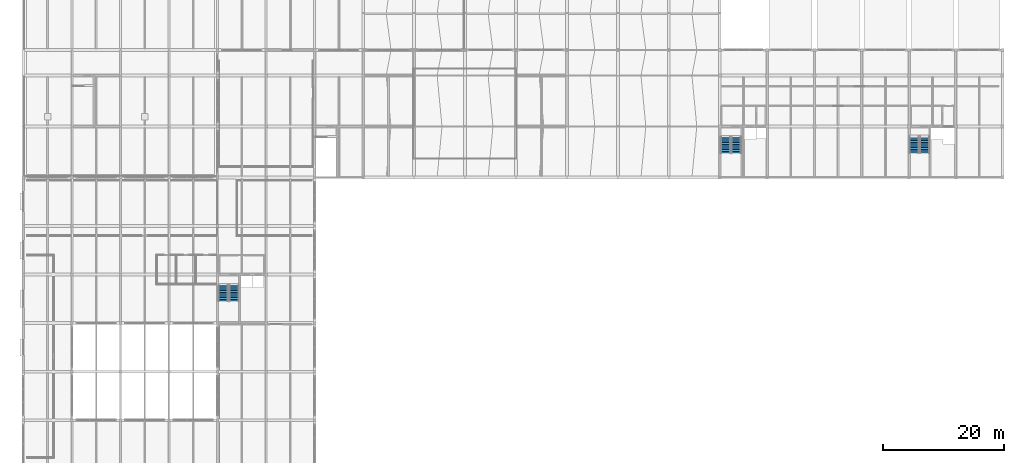
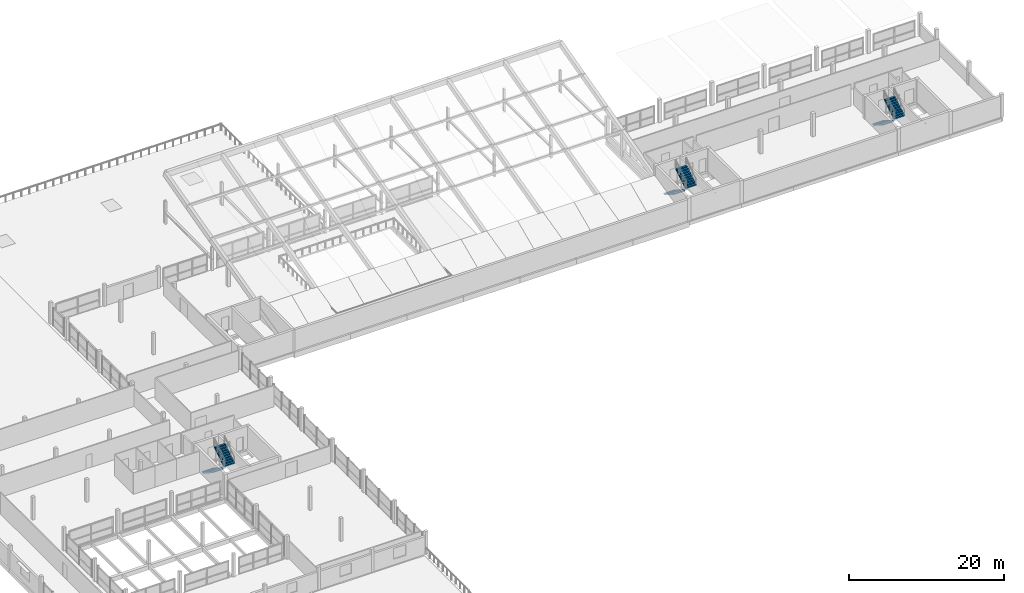
# One storey, part 44 of 51: 6 stair flights, 3 elements without a shape of their own.
"""IFC4 building model written with IfcOpenShell, lengths in metres."""

from ifc_helpers import new_model, si_unit, direction, frame, origin, place, context, subcontext, project, spatial, polyline, outline, extrude, material, type_object, element, aggregate, save


model = new_model("IFC4")

# Units and contexts
model_context = context("Model", 3, precision=1e-05, world=origin(), true_north=direction((0.0, 1.0)))
body_context = subcontext(model_context, "Body", "Model", "MODEL_VIEW")
ifc_project = project(units=[si_unit("LENGTHUNIT", "METRE"), si_unit("AREAUNIT", "SQUARE_METRE"), si_unit("VOLUMEUNIT", "CUBIC_METRE"), si_unit("PLANEANGLEUNIT", "RADIAN"), si_unit("MASSUNIT", "GRAM", prefix="KILO")], contexts=[model_context])

# Site, building, storey
site_placement = place(None, origin())
site = spatial("IfcSite", under=ifc_project, at=site_placement, CompositionType="ELEMENT")
building_placement = place(site_placement, origin())
building = spatial("IfcBuilding", under=site, at=building_placement, Name="Vharandega Faculty of Natural Sciences", CompositionType="ELEMENT")
storey_placement = place(building_placement, frame((0.0, 0.0, 18.0)))
storey = spatial("IfcBuildingStorey", under=building, at=storey_placement, Name="L04", CompositionType="ELEMENT", Elevation=18.0)

# Stair, stair flights
ifc_material_1 = material(Name="Concrete C40/50", Category="concrete")
stair_type_1 = type_object("IfcStairType", Name="Escape Dog-Leg Stair W160 H360", PredefinedType="HALF_TURN_STAIR", material=ifc_material_1)
stair_1_placement = place(storey_placement, origin())
stair_1 = element("IfcStair", 1, at=stair_1_placement, inside=storey, type_object=stair_type_1, Name="L04 Escape Stair ST2", PredefinedType="HALF_TURN_STAIR")
ifc_material_2 = material(Name="Concrete C40/50", Category="concrete")
stair_flight_type_1 = type_object("IfcStairFlightType", Name="Precast Stair Flight W160 H360", PredefinedType="STRAIGHT", material=ifc_material_2)
stair_flight_1_placement = place(storey_placement, frame((146.860107421875, 70.659912109375, 0.0), z_axis=(0.0, 0.0, 1.0), x_axis=(0.0, -1.0, 0.0)))
stair_flight_1 = element("IfcStairFlight", 2, at=stair_flight_1_placement, type_object=stair_flight_type_1, Name="ST2 flight 1", NumberOfRisers=10, NumberOfTreads=9, PredefinedType="STRAIGHT", RiserHeight=0.18, TreadLength=0.29, context=body_context, shape_type="SweptSolid", body=[
    extrude(outline(polyline([(0.0, 0.0), (0.0, 0.179931640625), (0.2900390625, 0.179931640625), (0.2900390625, 0.360107421875), (0.580078125, 0.360107421875), (0.580078125, 0.5400390625), (0.8701171875, 0.5400390625), (0.8701171875, 0.719970703125), (1.159912109375, 0.719970703125), (1.159912109375, 0.89990234375), (1.449951171875, 0.89990234375), (1.449951171875, 1.080078125), (1.739990234375, 1.080078125), (1.739990234375, 1.260009765625), (2.030029296875, 1.260009765625), (2.030029296875, 1.43994140625), (2.320068359375, 1.43994140625), (2.320068359375, 1.6201171875), (2.610107421875, 1.6201171875), (2.610107421875, 1.800048828125), (2.610107421875, 1.443603515625), (0.2841796875, 0.0), (0.0, 0.0)])), frame((0.0, 0.800048828125, 0.0), z_axis=(0.0, -1.0, 0.0), x_axis=(1.0, 0.0, 0.0)), (0.0, 0.0, 1.0), 1.60009765625),
])
stair_flight_2_placement = place(storey_placement, frame((148.580078125, 68.050048828125, 1.800048828125), z_axis=(0.0, 0.0, 1.0), x_axis=(0.0, 1.0, 0.0)))
stair_flight_2 = element("IfcStairFlight", 3, at=stair_flight_2_placement, type_object=stair_flight_type_1, Name="ST2 flight 2", NumberOfRisers=10, NumberOfTreads=9, PredefinedType="STRAIGHT", RiserHeight=0.18, TreadLength=0.29, context=body_context, shape_type="SweptSolid", body=[
    extrude(outline(polyline([(0.0, 0.0), (0.0, 0.179931640625), (0.2900390625, 0.179931640625), (0.2900390625, 0.360107421875), (0.580078125, 0.360107421875), (0.580078125, 0.5400390625), (0.8701171875, 0.5400390625), (0.8701171875, 0.719970703125), (1.159912109375, 0.719970703125), (1.159912109375, 0.89990234375), (1.449951171875, 0.89990234375), (1.449951171875, 1.080078125), (1.739990234375, 1.080078125), (1.739990234375, 1.260009765625), (2.030029296875, 1.260009765625), (2.030029296875, 1.43994140625), (2.320068359375, 1.43994140625), (2.320068359375, 1.6201171875), (2.610107421875, 1.6201171875), (2.610107421875, 1.800048828125), (2.610107421875, 1.443603515625), (0.2841796875, 0.0), (0.0, 0.0)])), frame((0.0, 0.800048828125, 0.0), z_axis=(0.0, -1.0, 0.0), x_axis=(1.0, 0.0, 0.0)), (0.0, 0.0, 1.0), 1.60009765625),
])
aggregate(stair_1, [stair_flight_1, stair_flight_2])

ifc_material_3 = material(Name="Concrete C40/50", Category="concrete")
stair_type_2 = type_object("IfcStairType", Name="Escape Dog-Leg Stair W165 H360", PredefinedType="HALF_TURN_STAIR", material=ifc_material_3)
stair_2_placement = place(storey_placement, origin())
stair_2 = element("IfcStair", 4, at=stair_2_placement, inside=storey, type_object=stair_type_2, Name="L04 Escape Stair ST1", PredefinedType="HALF_TURN_STAIR")
ifc_material_4 = material(Name="Concrete C40/50", Category="concrete")
stair_flight_type_2 = type_object("IfcStairFlightType", Name="Precast Stair Flight W165 H360", PredefinedType="STRAIGHT", material=ifc_material_4)
stair_flight_3_placement = place(storey_placement, frame((115.764892578125, 70.610107421875, 0.0), z_axis=(0.0, 0.0, 1.0), x_axis=(0.0, -1.0, 0.0)))
stair_flight_3 = element("IfcStairFlight", 5, at=stair_flight_3_placement, type_object=stair_flight_type_2, Name="ST1 flight 1", NumberOfRisers=10, NumberOfTreads=9, PredefinedType="STRAIGHT", RiserHeight=0.18, TreadLength=0.29, context=body_context, shape_type="SweptSolid", body=[
    extrude(outline(polyline([(0.0, 0.0), (0.0, 0.179931640625), (0.2900390625, 0.179931640625), (0.2900390625, 0.360107421875), (0.580078125, 0.360107421875), (0.580078125, 0.5400390625), (0.8701171875, 0.5400390625), (0.8701171875, 0.719970703125), (1.159912109375, 0.719970703125), (1.159912109375, 0.89990234375), (1.449951171875, 0.89990234375), (1.449951171875, 1.080078125), (1.739990234375, 1.080078125), (1.739990234375, 1.260009765625), (2.030029296875, 1.260009765625), (2.030029296875, 1.43994140625), (2.320068359375, 1.43994140625), (2.320068359375, 1.6201171875), (2.610107421875, 1.6201171875), (2.610107421875, 1.800048828125), (2.610107421875, 1.443603515625), (0.2841796875, 0.0), (0.0, 0.0)])), frame((0.0, 0.824951171875, 0.0), z_axis=(0.0, -1.0, 0.0), x_axis=(1.0, 0.0, 0.0)), (0.0, 0.0, 1.0), 1.64990234375),
])
stair_flight_4_placement = place(storey_placement, frame((117.534912109375, 68.0, 1.800048828125), z_axis=(0.0, 0.0, 1.0), x_axis=(0.0, 1.0, 0.0)))
stair_flight_4 = element("IfcStairFlight", 6, at=stair_flight_4_placement, type_object=stair_flight_type_2, Name="ST1 flight 2", NumberOfRisers=10, NumberOfTreads=9, PredefinedType="STRAIGHT", RiserHeight=0.18, TreadLength=0.29, context=body_context, shape_type="SweptSolid", body=[
    extrude(outline(polyline([(0.0, 0.0), (0.0, 0.179931640625), (0.2900390625, 0.179931640625), (0.2900390625, 0.360107421875), (0.580078125, 0.360107421875), (0.580078125, 0.5400390625), (0.8701171875, 0.5400390625), (0.8701171875, 0.719970703125), (1.159912109375, 0.719970703125), (1.159912109375, 0.89990234375), (1.449951171875, 0.89990234375), (1.449951171875, 1.080078125), (1.739990234375, 1.080078125), (1.739990234375, 1.260009765625), (2.030029296875, 1.260009765625), (2.030029296875, 1.43994140625), (2.320068359375, 1.43994140625), (2.320068359375, 1.6201171875), (2.610107421875, 1.6201171875), (2.610107421875, 1.800048828125), (2.610107421875, 1.443603515625), (0.2841796875, 0.0), (0.0, 0.0)])), frame((0.0, 0.824951171875, 0.0), z_axis=(0.0, -1.0, 0.0), x_axis=(1.0, 0.0, 0.0)), (0.0, 0.0, 1.0), 1.64990234375),
])
aggregate(stair_2, [stair_flight_3, stair_flight_4])

stair_3_placement = place(storey_placement, origin())
stair_3 = element("IfcStair", 7, at=stair_3_placement, inside=storey, type_object=stair_type_2, Name="L04 Escape Stair ST3", PredefinedType="HALF_TURN_STAIR")
stair_flight_5_placement = place(storey_placement, frame((32.965087890625, 46.2099609375, 0.0), z_axis=(0.0, 0.0, 1.0), x_axis=(0.0, -1.0, 0.0)))
stair_flight_5 = element("IfcStairFlight", 8, at=stair_flight_5_placement, type_object=stair_flight_type_2, Name="ST3 flight 1", NumberOfRisers=10, NumberOfTreads=9, PredefinedType="STRAIGHT", RiserHeight=0.18, TreadLength=0.29, context=body_context, shape_type="SweptSolid", body=[
    extrude(outline(polyline([(0.0, 0.0), (0.0, 0.179931640625), (0.2900390625, 0.179931640625), (0.2900390625, 0.360107421875), (0.580078125, 0.360107421875), (0.580078125, 0.5400390625), (0.8701171875, 0.5400390625), (0.8701171875, 0.719970703125), (1.159912109375, 0.719970703125), (1.159912109375, 0.89990234375), (1.449951171875, 0.89990234375), (1.449951171875, 1.080078125), (1.739990234375, 1.080078125), (1.739990234375, 1.260009765625), (2.030029296875, 1.260009765625), (2.030029296875, 1.43994140625), (2.320068359375, 1.43994140625), (2.320068359375, 1.6201171875), (2.610107421875, 1.6201171875), (2.610107421875, 1.800048828125), (2.610107421875, 1.443603515625), (0.2841796875, 0.0), (0.0, 0.0)])), frame((0.0, 0.824951171875, 0.0), z_axis=(0.0, -1.0, 0.0), x_axis=(1.0, 0.0, 0.0)), (0.0, 0.0, 1.0), 1.64990234375),
])
stair_flight_6_placement = place(storey_placement, frame((34.735107421875, 43.60009765625, 1.800048828125), z_axis=(0.0, 0.0, 1.0), x_axis=(0.0, 1.0, 0.0)))
stair_flight_6 = element("IfcStairFlight", 9, at=stair_flight_6_placement, type_object=stair_flight_type_2, Name="ST3 flight 2", NumberOfRisers=10, NumberOfTreads=9, PredefinedType="STRAIGHT", RiserHeight=0.18, TreadLength=0.29, context=body_context, shape_type="SweptSolid", body=[
    extrude(outline(polyline([(0.0, 0.0), (0.0, 0.179931640625), (0.2900390625, 0.179931640625), (0.2900390625, 0.360107421875), (0.580078125, 0.360107421875), (0.580078125, 0.5400390625), (0.8701171875, 0.5400390625), (0.8701171875, 0.719970703125), (1.159912109375, 0.719970703125), (1.159912109375, 0.89990234375), (1.449951171875, 0.89990234375), (1.449951171875, 1.080078125), (1.739990234375, 1.080078125), (1.739990234375, 1.260009765625), (2.030029296875, 1.260009765625), (2.030029296875, 1.43994140625), (2.320068359375, 1.43994140625), (2.320068359375, 1.6201171875), (2.610107421875, 1.6201171875), (2.610107421875, 1.800048828125), (2.610107421875, 1.443603515625), (0.2841796875, 0.0), (0.0, 0.0)])), frame((0.0, 0.824951171875, 0.0), z_axis=(0.0, -1.0, 0.0), x_axis=(1.0, 0.0, 0.0)), (0.0, 0.0, 1.0), 1.64990234375),
])
aggregate(stair_3, [stair_flight_5, stair_flight_6])

save(model, "model.ifc")
